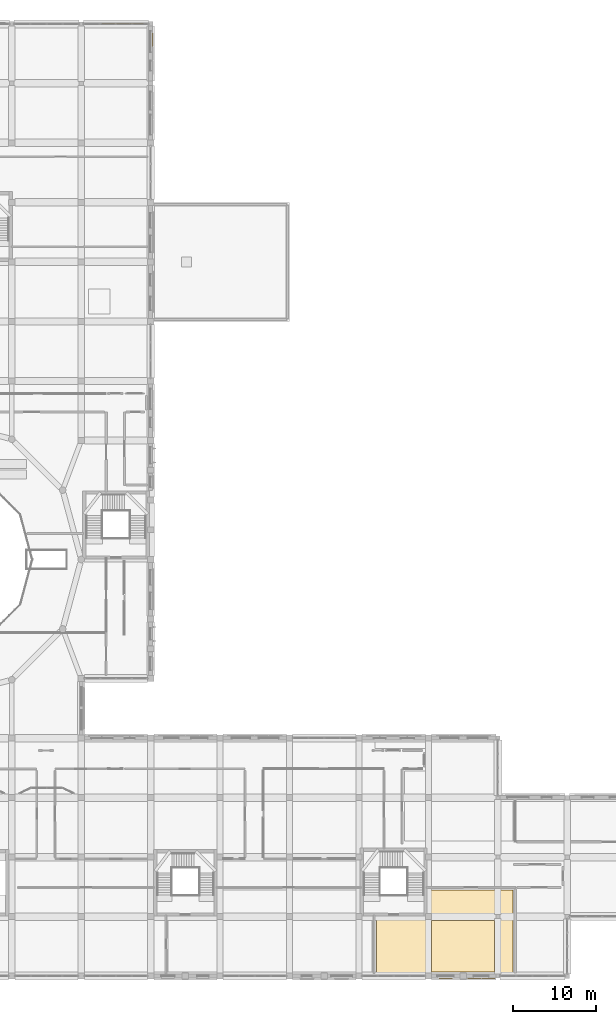
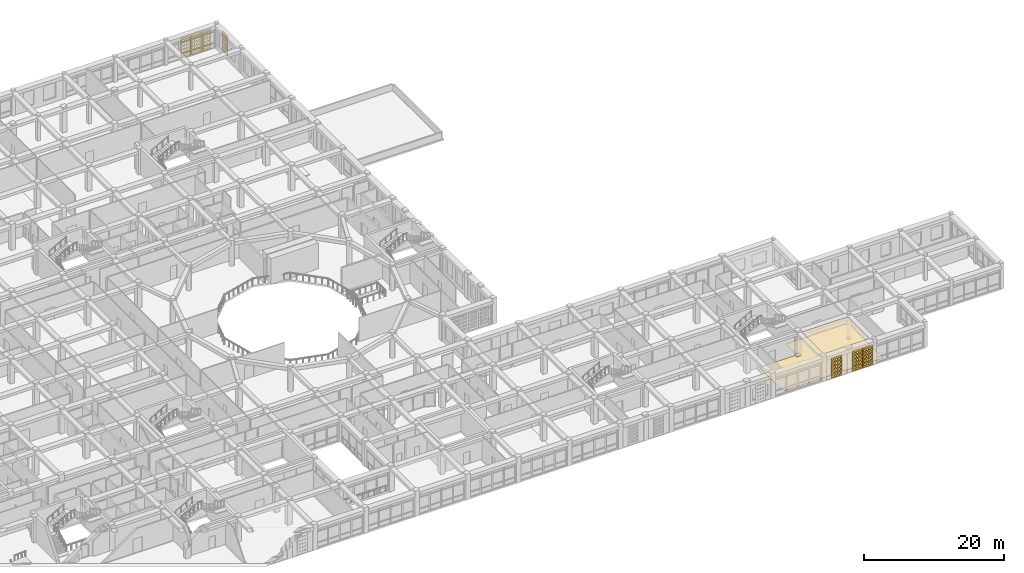
# One storey, part 116 of 121: 9 coverings.
"""IFC4 building model written with IfcOpenShell, lengths in metres."""

from ifc_helpers import new_model, si_unit, derived_unit, direction, frame, origin, place, context, subcontext, project, spatial, polyline, outline, extrude, material, layer, layer_set, type_object, element, save


model = new_model("IFC4")

# Units and contexts
model_context = context("Model", 3, precision=1e-05, world=origin(), true_north=direction((0.0, 1.0)))
body_context = subcontext(model_context, "Body", "Model", "MODEL_VIEW")
ifc_project = project(units=[si_unit("LENGTHUNIT", "METRE"), si_unit("AREAUNIT", "SQUARE_METRE"), si_unit("VOLUMEUNIT", "CUBIC_METRE"), si_unit("PLANEANGLEUNIT", "RADIAN"), si_unit("MASSUNIT", "GRAM", prefix="KILO"), derived_unit("THERMALTRANSMITTANCEUNIT", [(si_unit("POWERUNIT", "WATT"), 1), (si_unit("LENGTHUNIT", "METRE"), -2), (si_unit("THERMODYNAMICTEMPERATUREUNIT", "KELVIN"), -1)])], contexts=[model_context])

# Site, building, storey
site_placement = place(None, origin())
site = spatial("IfcSite", under=ifc_project, at=site_placement, CompositionType="ELEMENT")
building_placement = place(site_placement, origin())
building = spatial("IfcBuilding", under=site, at=building_placement, Name="Veybourne Emporium", CompositionType="ELEMENT")
storey_placement = place(building_placement, frame((0.0, 0.0, 5.39990234375)))
storey = spatial("IfcBuildingStorey", under=building, at=storey_placement, Name="L01", CompositionType="ELEMENT", Elevation=5.39990234375)

# Coverings
ifc_material_1 = material(Name="Mineral Acoustic Ceiling", Category="gypsum")
ifc_layer_1 = layer(ifc_material_1, 0.02490234375)
ifc_layer_set_1 = layer_set([ifc_layer_1], Name="Mineral Acoustic Ceiling")
covering_type_1 = type_object("IfcCoveringType", Name="Ceiling_CLG-01", PredefinedType="CEILING", material=ifc_layer_set_1)
covering_1_placement = place(storey_placement, frame((0.0, 0.0, 4.155029296875)))
element("IfcCovering", 1, at=covering_1_placement, inside=storey, type_object=covering_type_1, Name="L01 coffered acoustic ceiling 05", PredefinedType="CEILING", context=body_context, shape_type="SweptSolid", body=[
    extrude(outline(polyline([(134.77490234375, 6.820068359375), (134.77490234375, 6.751953125), (142.427001953125, 6.751953125), (142.427001953125, 0.472900390625), (134.77490234375, 0.472900390625), (134.77490234375, 0.43994140625), (134.77294921875, 0.43994140625), (134.77294921875, 6.820068359375), (134.77490234375, 6.820068359375)])), origin(), (0.0, 0.0, 1.0), 0.025146484375),
])
ifc_material_2 = material(Name="Venetian Terrazzo Flooring", Category="masonry")
ifc_layer_2 = layer(ifc_material_2, 0.044921875)
ifc_layer_set_2 = layer_set([ifc_layer_2], Name="Venetian Terrazzo Flooring")
covering_type_2 = type_object("IfcCoveringType", Name="Flooring_FLR-01", PredefinedType="FLOORING", material=ifc_layer_set_2)
covering_2_placement = place(storey_placement, origin())
element("IfcCovering", 2, at=covering_2_placement, inside=storey, type_object=covering_type_2, Name="L01 floor finish 05", PredefinedType="FLOORING", context=body_context, shape_type="SweptSolid", body=[
    extrude(outline(polyline([(133.89501953125, 7.29296875), (133.910400390625, 7.295166015625), (133.929931640625, 7.299072265625), (133.945068359375, 7.302978515625), (133.9638671875, 7.30859375), (133.978515625, 7.31396484375), (133.996826171875, 7.3212890625), (134.010986328125, 7.328125), (134.02001953125, 7.3330078125), (134.02001953125, 6.820068359375), (134.780029296875, 6.820068359375), (134.780029296875, 7.580078125), (134.202880859375, 7.580078125), (134.204833984375, 7.589599609375), (134.20703125, 7.60498046875), (134.208984375, 7.62451171875), (134.209716796875, 7.64013671875), (134.2099609375, 7.64990234375), (134.2099609375, 10.43994140625), (144.628662109375, 10.43994140625), (144.628662109375, 0.43994140625), (128.110107421875, 0.43994140625), (128.110107421875, 7.2900390625), (133.85009765625, 7.2900390625), (133.85986328125, 7.290283203125), (133.87548828125, 7.291015625), (133.89501953125, 7.29296875)]), holes=[polyline([(143.054931640625, 7.455078125), (142.544921875, 7.455078125), (142.544921875, 6.945068359375), (143.054931640625, 6.945068359375), (143.054931640625, 7.455078125)])]), origin(), (0.0, 0.0, 1.0), 0.045166015625),
])
ifc_material_3 = material(Name="Warm-White Perforated Aluminium Screen Alloy", Category="aluminium")
ifc_layer_3 = layer(ifc_material_3, 0.06005859375)
ifc_layer_set_3 = layer_set([ifc_layer_3], Name="Warm-White Perforated Aluminium Screen Alloy")
covering_type_3 = type_object("IfcCoveringType", Name="WaveScreen_SCR-01", PredefinedType="CLADDING", material=ifc_layer_set_3)
covering_3_placement = place(storey_placement, frame((97.427490234375, 115.297119140625, 1.815185546875), z_axis=(0.0, -1.0, 0.0), x_axis=(1.0, 0.0, 0.0)))
element("IfcCovering", 3, at=covering_3_placement, inside=storey, type_object=covering_type_3, Name="L01 wave-perforated aluminium screen SCR-01 (60C.3)", PredefinedType="CLADDING", context=body_context, shape_type="SweptSolid", body=[
    extrude(outline(polyline([(-0.81982421875, -1.7548828125), (0.81982421875, -1.7548828125), (0.81982421875, 1.7548828125), (-0.81982421875, 1.7548828125), (-0.81982421875, -1.7548828125)]), holes=[polyline([(-0.433349609375, -0.968017578125), (-0.2470703125, -1.134521484375), (-0.2470703125, -1.321533203125), (-0.433349609375, -1.488037109375), (-0.61962890625, -1.321533203125), (-0.61962890625, -1.134521484375), (-0.433349609375, -0.968017578125)]), polyline([(-0.433349609375, -0.36328125), (-0.2470703125, -0.523681640625), (-0.2470703125, -0.704345703125), (-0.433349609375, -0.86474609375), (-0.61962890625, -0.704345703125), (-0.61962890625, -0.523681640625), (-0.433349609375, -0.36328125)]), polyline([(-0.433349609375, 0.239990234375), (-0.2470703125, 0.08642578125), (-0.2470703125, -0.08642578125), (-0.433349609375, -0.239990234375), (-0.61962890625, -0.08642578125), (-0.61962890625, 0.08642578125), (-0.433349609375, 0.239990234375)]), polyline([(-0.433349609375, 0.841796875), (-0.2470703125, 0.696044921875), (-0.2470703125, 0.531982421875), (-0.433349609375, 0.38623046875), (-0.61962890625, 0.531982421875), (-0.61962890625, 0.696044921875), (-0.433349609375, 0.841796875)]), polyline([(-0.433349609375, 1.4423828125), (-0.247802734375, 1.30517578125), (-0.247802734375, 1.15087890625), (-0.433349609375, 1.013427734375), (-0.618896484375, 1.15087890625), (-0.618896484375, 1.30517578125), (-0.433349609375, 1.4423828125)]), polyline([(0.0, -0.971923828125), (0.186279296875, -1.1357421875), (0.186279296875, -1.3203125), (0.0, -1.484130859375), (-0.186279296875, -1.3203125), (-0.186279296875, -1.1357421875), (0.0, -0.971923828125)]), polyline([(0.0, -0.367919921875), (0.186279296875, -0.525390625), (0.186279296875, -0.70263671875), (0.0, -0.860107421875), (-0.186279296875, -0.70263671875), (-0.186279296875, -0.525390625), (0.0, -0.367919921875)]), polyline([(0.0, 0.234619140625), (0.186279296875, 0.08447265625), (0.186279296875, -0.08447265625), (0.0, -0.234619140625), (-0.186279296875, -0.08447265625), (-0.186279296875, 0.08447265625), (0.0, 0.234619140625)]), polyline([(0.0, 0.835693359375), (0.186279296875, 0.69384765625), (0.186279296875, 0.5341796875), (0.0, 0.39208984375), (-0.186279296875, 0.5341796875), (-0.186279296875, 0.69384765625), (0.0, 0.835693359375)]), polyline([(0.0, 1.436279296875), (0.180419921875, 1.302978515625), (0.180419921875, 1.153076171875), (0.0, 1.019775390625), (-0.180419921875, 1.153076171875), (-0.180419921875, 1.302978515625), (0.0, 1.436279296875)]), polyline([(0.433349609375, -0.976318359375), (0.61962890625, -1.137451171875), (0.61962890625, -1.318603515625), (0.433349609375, -1.479736328125), (0.2470703125, -1.318603515625), (0.2470703125, -1.137451171875), (0.433349609375, -0.976318359375)]), polyline([(0.433349609375, -0.372802734375), (0.61962890625, -0.527099609375), (0.61962890625, -0.70068359375), (0.433349609375, -0.85498046875), (0.2470703125, -0.70068359375), (0.2470703125, -0.527099609375), (0.433349609375, -0.372802734375)]), polyline([(0.433349609375, 0.22900390625), (0.61962890625, 0.08251953125), (0.61962890625, -0.08251953125), (0.433349609375, -0.22900390625), (0.2470703125, -0.08251953125), (0.2470703125, 0.08251953125), (0.433349609375, 0.22900390625)]), polyline([(0.433349609375, 0.82958984375), (0.61962890625, 0.691650390625), (0.61962890625, 0.536376953125), (0.433349609375, 0.398193359375), (0.2470703125, 0.536376953125), (0.2470703125, 0.691650390625), (0.433349609375, 0.82958984375)]), polyline([(0.433349609375, 1.429931640625), (0.6083984375, 1.30078125), (0.6083984375, 1.1552734375), (0.433349609375, 1.026123046875), (0.25830078125, 1.1552734375), (0.25830078125, 1.30078125), (0.433349609375, 1.429931640625)])]), origin(), (0.0, 0.0, 1.0), 0.06005859375),
])
covering_4_placement = place(storey_placement, frame((139.93505859375, -0.298095703125, 1.815185546875), z_axis=(0.0, 1.0, 0.0), x_axis=(-1.0, 0.0, 0.0)))
element("IfcCovering", 4, at=covering_4_placement, inside=storey, type_object=covering_type_3, Name="L01 wave-perforated aluminium screen SCR-01 (69A.2)", PredefinedType="CLADDING", context=body_context, shape_type="SweptSolid", body=[
    extrude(outline(polyline([(-0.81982421875, -1.7548828125), (0.81982421875, -1.7548828125), (0.81982421875, 1.7548828125), (-0.81982421875, 1.7548828125), (-0.81982421875, -1.7548828125)]), holes=[polyline([(-0.433349609375, -0.964111328125), (-0.2470703125, -1.133056640625), (-0.2470703125, -1.322998046875), (-0.433349609375, -1.491943359375), (-0.61962890625, -1.322998046875), (-0.61962890625, -1.133056640625), (-0.433349609375, -0.964111328125)]), polyline([(-0.433349609375, -0.35009765625), (-0.2470703125, -0.51904296875), (-0.2470703125, -0.708984375), (-0.433349609375, -0.8779296875), (-0.61962890625, -0.708984375), (-0.61962890625, -0.51904296875), (-0.433349609375, -0.35009765625)]), polyline([(-0.433349609375, 0.263427734375), (-0.2470703125, 0.094970703125), (-0.2470703125, -0.094970703125), (-0.433349609375, -0.263427734375), (-0.61962890625, -0.094970703125), (-0.61962890625, 0.094970703125), (-0.433349609375, 0.263427734375)]), polyline([(-0.433349609375, 0.869140625), (-0.2470703125, 0.705810546875), (-0.2470703125, 0.522216796875), (-0.433349609375, 0.35888671875), (-0.61962890625, 0.522216796875), (-0.61962890625, 0.705810546875), (-0.433349609375, 0.869140625)]), polyline([(-0.433349609375, 1.47314453125), (-0.2470703125, 1.31640625), (-0.2470703125, 1.1396484375), (-0.433349609375, 0.98291015625), (-0.61962890625, 1.1396484375), (-0.61962890625, 1.31640625), (-0.433349609375, 1.47314453125)]), polyline([(0.0, -0.964111328125), (0.186279296875, -1.133056640625), (0.186279296875, -1.322998046875), (0.0, -1.491943359375), (-0.186279296875, -1.322998046875), (-0.186279296875, -1.133056640625), (0.0, -0.964111328125)]), polyline([(0.0, -0.35009765625), (0.186279296875, -0.51904296875), (0.186279296875, -0.708984375), (0.0, -0.8779296875), (-0.186279296875, -0.708984375), (-0.186279296875, -0.51904296875), (0.0, -0.35009765625)]), polyline([(0.0, 0.263916015625), (0.186279296875, 0.094970703125), (0.186279296875, -0.094970703125), (0.0, -0.263916015625), (-0.186279296875, -0.094970703125), (-0.186279296875, 0.094970703125), (0.0, 0.263916015625)]), polyline([(0.0, 0.873291015625), (0.186279296875, 0.707275390625), (0.186279296875, 0.520751953125), (0.0, 0.354736328125), (-0.186279296875, 0.520751953125), (-0.186279296875, 0.707275390625), (0.0, 0.873291015625)]), polyline([(0.0, 1.477783203125), (0.186279296875, 1.318115234375), (0.186279296875, 1.137939453125), (0.0, 0.97802734375), (-0.186279296875, 1.137939453125), (-0.186279296875, 1.318115234375), (0.0, 1.477783203125)]), polyline([(0.433349609375, -0.964111328125), (0.61962890625, -1.133056640625), (0.61962890625, -1.322998046875), (0.433349609375, -1.491943359375), (0.2470703125, -1.322998046875), (0.2470703125, -1.133056640625), (0.433349609375, -0.964111328125)]), polyline([(0.433349609375, -0.35009765625), (0.61962890625, -0.51904296875), (0.61962890625, -0.708984375), (0.433349609375, -0.8779296875), (0.2470703125, -0.708984375), (0.2470703125, -0.51904296875), (0.433349609375, -0.35009765625)]), polyline([(0.433349609375, 0.263916015625), (0.61962890625, 0.094970703125), (0.61962890625, -0.094970703125), (0.433349609375, -0.263916015625), (0.2470703125, -0.094970703125), (0.2470703125, 0.094970703125), (0.433349609375, 0.263916015625)]), polyline([(0.433349609375, 0.876708984375), (0.61962890625, 0.70849609375), (0.61962890625, 0.519287109375), (0.433349609375, 0.351318359375), (0.2470703125, 0.519287109375), (0.2470703125, 0.70849609375), (0.433349609375, 0.876708984375)]), polyline([(0.433349609375, 1.482421875), (0.61962890625, 1.319580078125), (0.61962890625, 1.136474609375), (0.433349609375, 0.9736328125), (0.2470703125, 1.136474609375), (0.2470703125, 1.319580078125), (0.433349609375, 1.482421875)])]), origin(), (0.0, 0.0, 1.0), 0.06005859375),
])
ifc_layer_4 = layer(ifc_material_3, 0.06005859375)
ifc_layer_set_4 = layer_set([ifc_layer_4], Name="Warm-White Perforated Aluminium Screen Alloy")
covering_type_4 = type_object("IfcCoveringType", Name="WaveScreen_SCR-02", PredefinedType="CLADDING", material=ifc_layer_set_4)
covering_5_placement = place(storey_placement, frame((101.09814453125, 113.280029296875, 1.815185546875), z_axis=(-1.0, 0.0, 0.0), x_axis=(0.0, -1.0, 0.0)))
element("IfcCovering", 5, at=covering_5_placement, inside=storey, type_object=covering_type_4, Name="L01 wave-perforated aluminium screen SCR-02 (59.1)", PredefinedType="CLADDING", context=body_context, shape_type="SweptSolid", body=[
    extrude(outline(polyline([(-0.81982421875, -1.7548828125), (0.81982421875, -1.7548828125), (0.81982421875, 1.7548828125), (-0.81982421875, 1.7548828125), (-0.81982421875, -1.7548828125)]), holes=[polyline([(-0.433349609375, -0.99560546875), (-0.2470703125, -1.144287109375), (-0.2470703125, -1.3115234375), (-0.433349609375, -1.460205078125), (-0.61962890625, -1.3115234375), (-0.61962890625, -1.144287109375), (-0.433349609375, -0.99560546875)]), polyline([(-0.433349609375, -0.39453125), (-0.2470703125, -0.534912109375), (-0.2470703125, -0.693115234375), (-0.433349609375, -0.83349609375), (-0.61962890625, -0.693115234375), (-0.61962890625, -0.534912109375), (-0.433349609375, -0.39453125)]), polyline([(-0.433349609375, 0.20556640625), (-0.255126953125, 0.073974609375), (-0.255126953125, -0.073974609375), (-0.433349609375, -0.20556640625), (-0.611572265625, -0.073974609375), (-0.611572265625, 0.073974609375), (-0.433349609375, 0.20556640625)]), polyline([(-0.433349609375, 0.805419921875), (-0.2666015625, 0.682861328125), (-0.2666015625, 0.545166015625), (-0.433349609375, 0.422607421875), (-0.60009765625, 0.545166015625), (-0.60009765625, 0.682861328125), (-0.433349609375, 0.805419921875)]), polyline([(-0.433349609375, 1.405517578125), (-0.2783203125, 1.2919921875), (-0.2783203125, 1.1640625), (-0.433349609375, 1.050537109375), (-0.58837890625, 1.1640625), (-0.58837890625, 1.2919921875), (-0.433349609375, 1.405517578125)]), polyline([(0.0, -0.990234375), (0.186279296875, -1.142333984375), (0.186279296875, -1.313720703125), (0.0, -1.4658203125), (-0.186279296875, -1.313720703125), (-0.186279296875, -1.142333984375), (0.0, -0.990234375)]), polyline([(0.0, -0.388671875), (0.186279296875, -0.532958984375), (0.186279296875, -0.695068359375), (0.0, -0.83935546875), (-0.186279296875, -0.695068359375), (-0.186279296875, -0.532958984375), (0.0, -0.388671875)]), polyline([(0.0, 0.2119140625), (0.183349609375, 0.076416015625), (0.183349609375, -0.076416015625), (0.0, -0.2119140625), (-0.183349609375, -0.076416015625), (-0.183349609375, 0.076416015625), (0.0, 0.2119140625)]), polyline([(0.0, 0.81201171875), (0.171875, 0.685302734375), (0.171875, 0.542724609375), (0.0, 0.416015625), (-0.171875, 0.542724609375), (-0.171875, 0.685302734375), (0.0, 0.81201171875)]), polyline([(0.0, 1.411865234375), (0.160400390625, 1.294189453125), (0.160400390625, 1.161865234375), (0.0, 1.044189453125), (-0.160400390625, 1.161865234375), (-0.160400390625, 1.294189453125), (0.0, 1.411865234375)]), polyline([(0.433349609375, -0.98486328125), (0.61962890625, -1.140380859375), (0.61962890625, -1.3154296875), (0.433349609375, -1.47119140625), (0.2470703125, -1.3154296875), (0.2470703125, -1.140380859375), (0.433349609375, -0.98486328125)]), polyline([(0.433349609375, -0.3828125), (0.61962890625, -0.53076171875), (0.61962890625, -0.697265625), (0.433349609375, -0.84521484375), (0.2470703125, -0.697265625), (0.2470703125, -0.53076171875), (0.433349609375, -0.3828125)]), polyline([(0.433349609375, 0.218017578125), (0.61962890625, 0.07861328125), (0.61962890625, -0.07861328125), (0.433349609375, -0.218017578125), (0.2470703125, -0.07861328125), (0.2470703125, 0.07861328125), (0.433349609375, 0.218017578125)]), polyline([(0.433349609375, 0.818359375), (0.610595703125, 0.6875), (0.610595703125, 0.540283203125), (0.433349609375, 0.40966796875), (0.256103515625, 0.540283203125), (0.256103515625, 0.6875), (0.433349609375, 0.818359375)]), polyline([(0.433349609375, 1.418212890625), (0.598876953125, 1.29638671875), (0.598876953125, 1.159423828125), (0.433349609375, 1.037841796875), (0.267578125, 1.159423828125), (0.267578125, 1.29638671875), (0.433349609375, 1.418212890625)])]), origin(), (0.0, 0.0, 1.0), 0.06005859375),
])
covering_6_placement = place(storey_placement, frame((99.107421875, 115.297119140625, 1.815185546875), z_axis=(0.0, -1.0, 0.0), x_axis=(1.0, 0.0, 0.0)))
element("IfcCovering", 6, at=covering_6_placement, inside=storey, type_object=covering_type_4, Name="L01 wave-perforated aluminium screen SCR-02 (60C.4)", PredefinedType="CLADDING", context=body_context, shape_type="SweptSolid", body=[
    extrude(outline(polyline([(-0.81982421875, -1.7548828125), (0.81982421875, -1.7548828125), (0.81982421875, 1.7548828125), (-0.81982421875, 1.7548828125), (-0.81982421875, -1.7548828125)]), holes=[polyline([(-0.433349609375, -0.985107421875), (-0.2470703125, -1.140625), (-0.2470703125, -1.3154296875), (-0.433349609375, -1.470703125), (-0.61962890625, -1.3154296875), (-0.61962890625, -1.140625), (-0.433349609375, -0.985107421875)]), polyline([(-0.433349609375, -0.38330078125), (-0.2470703125, -0.531005859375), (-0.2470703125, -0.697021484375), (-0.433349609375, -0.8447265625), (-0.61962890625, -0.697021484375), (-0.61962890625, -0.531005859375), (-0.433349609375, -0.38330078125)]), polyline([(-0.433349609375, 0.2177734375), (-0.2470703125, 0.078369140625), (-0.2470703125, -0.078369140625), (-0.433349609375, -0.2177734375), (-0.61962890625, -0.078369140625), (-0.61962890625, 0.078369140625), (-0.433349609375, 0.2177734375)]), polyline([(-0.433349609375, 0.81787109375), (-0.256591796875, 0.6875), (-0.256591796875, 0.54052734375), (-0.433349609375, 0.41015625), (-0.610107421875, 0.54052734375), (-0.610107421875, 0.6875), (-0.433349609375, 0.81787109375)]), polyline([(-0.433349609375, 1.417724609375), (-0.26806640625, 1.29638671875), (-0.26806640625, 1.15966796875), (-0.433349609375, 1.0380859375), (-0.5986328125, 1.15966796875), (-0.5986328125, 1.29638671875), (-0.433349609375, 1.417724609375)]), polyline([(0.0, -0.990478515625), (0.186279296875, -1.142578125), (0.186279296875, -1.3134765625), (0.0, -1.465576171875), (-0.186279296875, -1.3134765625), (-0.186279296875, -1.142578125), (0.0, -0.990478515625)]), polyline([(0.0, -0.388916015625), (0.186279296875, -0.532958984375), (0.186279296875, -0.695068359375), (0.0, -0.839111328125), (-0.186279296875, -0.695068359375), (-0.186279296875, -0.532958984375), (0.0, -0.388916015625)]), polyline([(0.0, 0.211669921875), (0.18310546875, 0.076171875), (0.18310546875, -0.076171875), (0.0, -0.211669921875), (-0.18310546875, -0.076171875), (-0.18310546875, 0.076171875), (0.0, 0.211669921875)]), polyline([(0.0, 0.8115234375), (0.171630859375, 0.68505859375), (0.171630859375, 0.54296875), (0.0, 0.41650390625), (-0.171630859375, 0.54296875), (-0.171630859375, 0.68505859375), (0.0, 0.8115234375)]), polyline([(0.0, 1.411376953125), (0.159912109375, 1.2939453125), (0.159912109375, 1.162109375), (0.0, 1.044677734375), (-0.159912109375, 1.162109375), (-0.159912109375, 1.2939453125), (0.0, 1.411376953125)]), polyline([(0.433349609375, -0.99609375), (0.61962890625, -1.14453125), (0.61962890625, -1.3115234375), (0.433349609375, -1.4599609375), (0.2470703125, -1.3115234375), (0.2470703125, -1.14453125), (0.433349609375, -0.99609375)]), polyline([(0.433349609375, -0.39501953125), (0.61962890625, -0.53515625), (0.61962890625, -0.69287109375), (0.433349609375, -0.8330078125), (0.2470703125, -0.69287109375), (0.2470703125, -0.53515625), (0.433349609375, -0.39501953125)]), polyline([(0.433349609375, 0.205078125), (0.611328125, 0.073974609375), (0.611328125, -0.073974609375), (0.433349609375, -0.205078125), (0.25537109375, -0.073974609375), (0.25537109375, 0.073974609375), (0.433349609375, 0.205078125)]), polyline([(0.433349609375, 0.80517578125), (0.599609375, 0.682861328125), (0.599609375, 0.545166015625), (0.433349609375, 0.4228515625), (0.26708984375, 0.545166015625), (0.26708984375, 0.682861328125), (0.433349609375, 0.80517578125)]), polyline([(0.433349609375, 1.405029296875), (0.588134765625, 1.291748046875), (0.588134765625, 1.164306640625), (0.433349609375, 1.051025390625), (0.278564453125, 1.164306640625), (0.278564453125, 1.291748046875), (0.433349609375, 1.405029296875)])]), origin(), (0.0, 0.0, 1.0), 0.06005859375),
])
ifc_layer_5 = layer(ifc_material_3, 0.06005859375)
ifc_layer_set_5 = layer_set([ifc_layer_5], Name="Warm-White Perforated Aluminium Screen Alloy")
covering_type_5 = type_object("IfcCoveringType", Name="WaveScreen_SCR-04", PredefinedType="CLADDING", material=ifc_layer_set_5)
covering_7_placement = place(storey_placement, frame((95.74755859375, 115.297119140625, 1.815185546875), z_axis=(0.0, -1.0, 0.0), x_axis=(1.0, 0.0, 0.0)))
element("IfcCovering", 7, at=covering_7_placement, inside=storey, type_object=covering_type_5, Name="L01 wave-perforated aluminium screen SCR-04 (60C.2)", PredefinedType="CLADDING", context=body_context, shape_type="SweptSolid", body=[
    extrude(outline(polyline([(-0.81982421875, -1.7548828125), (0.81982421875, -1.7548828125), (0.81982421875, 1.7548828125), (-0.81982421875, 1.7548828125), (-0.81982421875, -1.7548828125)]), holes=[polyline([(-0.433349609375, -0.964111328125), (-0.2470703125, -1.133056640625), (-0.2470703125, -1.322998046875), (-0.433349609375, -1.491943359375), (-0.61962890625, -1.322998046875), (-0.61962890625, -1.133056640625), (-0.433349609375, -0.964111328125)]), polyline([(-0.433349609375, -0.35009765625), (-0.2470703125, -0.51904296875), (-0.2470703125, -0.708984375), (-0.433349609375, -0.8779296875), (-0.61962890625, -0.708984375), (-0.61962890625, -0.51904296875), (-0.433349609375, -0.35009765625)]), polyline([(-0.433349609375, 0.2578125), (-0.2470703125, 0.093017578125), (-0.2470703125, -0.093017578125), (-0.433349609375, -0.2578125), (-0.61962890625, -0.093017578125), (-0.61962890625, 0.093017578125), (-0.433349609375, 0.2578125)]), polyline([(-0.433349609375, 0.8623046875), (-0.2470703125, 0.703369140625), (-0.2470703125, 0.524658203125), (-0.433349609375, 0.365478515625), (-0.61962890625, 0.524658203125), (-0.61962890625, 0.703369140625), (-0.433349609375, 0.8623046875)]), polyline([(-0.433349609375, 1.465087890625), (-0.2470703125, 1.3134765625), (-0.2470703125, 1.142578125), (-0.433349609375, 0.99072265625), (-0.61962890625, 1.142578125), (-0.61962890625, 1.3134765625), (-0.433349609375, 1.465087890625)]), polyline([(0.0, -0.964111328125), (0.186279296875, -1.133056640625), (0.186279296875, -1.322998046875), (0.0, -1.491943359375), (-0.186279296875, -1.322998046875), (-0.186279296875, -1.133056640625), (0.0, -0.964111328125)]), polyline([(0.0, -0.3515625), (0.186279296875, -0.51953125), (0.186279296875, -0.70849609375), (0.0, -0.87646484375), (-0.186279296875, -0.70849609375), (-0.186279296875, -0.51953125), (0.0, -0.3515625)]), polyline([(0.0, 0.25390625), (0.186279296875, 0.09130859375), (0.186279296875, -0.09130859375), (0.0, -0.25390625), (-0.186279296875, -0.09130859375), (-0.186279296875, 0.09130859375), (0.0, 0.25390625)]), polyline([(0.0, 0.857421875), (0.186279296875, 0.70166015625), (0.186279296875, 0.5263671875), (0.0, 0.37060546875), (-0.186279296875, 0.5263671875), (-0.186279296875, 0.70166015625), (0.0, 0.857421875)]), polyline([(0.0, 1.459716796875), (0.186279296875, 1.311279296875), (0.186279296875, 1.14453125), (0.0, 0.996337890625), (-0.186279296875, 1.14453125), (-0.186279296875, 1.311279296875), (0.0, 1.459716796875)]), polyline([(0.433349609375, -0.964111328125), (0.61962890625, -1.133056640625), (0.61962890625, -1.322998046875), (0.433349609375, -1.491943359375), (0.2470703125, -1.322998046875), (0.2470703125, -1.133056640625), (0.433349609375, -0.964111328125)]), polyline([(0.433349609375, -0.355224609375), (0.61962890625, -0.52099609375), (0.61962890625, -0.70703125), (0.433349609375, -0.872802734375), (0.2470703125, -0.70703125), (0.2470703125, -0.52099609375), (0.433349609375, -0.355224609375)]), polyline([(0.433349609375, 0.249267578125), (0.61962890625, 0.08984375), (0.61962890625, -0.08984375), (0.433349609375, -0.249267578125), (0.2470703125, -0.08984375), (0.2470703125, 0.08984375), (0.433349609375, 0.249267578125)]), polyline([(0.433349609375, 0.852294921875), (0.61962890625, 0.69970703125), (0.61962890625, 0.5283203125), (0.433349609375, 0.375732421875), (0.2470703125, 0.5283203125), (0.2470703125, 0.69970703125), (0.433349609375, 0.852294921875)]), polyline([(0.433349609375, 1.453857421875), (0.61962890625, 1.309326171875), (0.61962890625, 1.146728515625), (0.433349609375, 1.002197265625), (0.2470703125, 1.146728515625), (0.2470703125, 1.309326171875), (0.433349609375, 1.453857421875)])]), origin(), (0.0, 0.0, 1.0), 0.06005859375),
])
covering_8_placement = place(storey_placement, frame((141.614990234375, -0.298095703125, 1.815185546875), z_axis=(0.0, 1.0, 0.0), x_axis=(-1.0, 0.0, 0.0)))
element("IfcCovering", 8, at=covering_8_placement, inside=storey, type_object=covering_type_5, Name="L01 wave-perforated aluminium screen SCR-04 (69A.1)", PredefinedType="CLADDING", context=body_context, shape_type="SweptSolid", body=[
    extrude(outline(polyline([(-0.81982421875, -1.7548828125), (0.81982421875, -1.7548828125), (0.81982421875, 1.7548828125), (-0.81982421875, 1.7548828125), (-0.81982421875, -1.7548828125)]), holes=[polyline([(-0.433349609375, -0.964111328125), (-0.2470703125, -1.133056640625), (-0.2470703125, -1.322998046875), (-0.433349609375, -1.491943359375), (-0.61962890625, -1.322998046875), (-0.61962890625, -1.133056640625), (-0.433349609375, -0.964111328125)]), polyline([(-0.433349609375, -0.356689453125), (-0.2470703125, -0.521240234375), (-0.2470703125, -0.706787109375), (-0.433349609375, -0.871337890625), (-0.61962890625, -0.706787109375), (-0.61962890625, -0.521240234375), (-0.433349609375, -0.356689453125)]), polyline([(-0.433349609375, 0.247802734375), (-0.2470703125, 0.089111328125), (-0.2470703125, -0.089111328125), (-0.433349609375, -0.247802734375), (-0.61962890625, -0.089111328125), (-0.61962890625, 0.089111328125), (-0.433349609375, 0.247802734375)]), polyline([(-0.433349609375, 0.850341796875), (-0.2470703125, 0.69921875), (-0.2470703125, 0.52880859375), (-0.433349609375, 0.377685546875), (-0.61962890625, 0.52880859375), (-0.61962890625, 0.69921875), (-0.433349609375, 0.850341796875)]), polyline([(-0.433349609375, 1.451904296875), (-0.2470703125, 1.30859375), (-0.2470703125, 1.1474609375), (-0.433349609375, 1.004150390625), (-0.61962890625, 1.1474609375), (-0.61962890625, 1.30859375), (-0.433349609375, 1.451904296875)]), polyline([(0.0, -0.964111328125), (0.186279296875, -1.133056640625), (0.186279296875, -1.322998046875), (0.0, -1.491943359375), (-0.186279296875, -1.322998046875), (-0.186279296875, -1.133056640625), (0.0, -0.964111328125)]), polyline([(0.0, -0.352783203125), (0.186279296875, -0.52001953125), (0.186279296875, -0.7080078125), (0.0, -0.875244140625), (-0.186279296875, -0.7080078125), (-0.186279296875, -0.52001953125), (0.0, -0.352783203125)]), polyline([(0.0, 0.252197265625), (0.186279296875, 0.0908203125), (0.186279296875, -0.0908203125), (0.0, -0.252197265625), (-0.186279296875, -0.0908203125), (-0.186279296875, 0.0908203125), (0.0, 0.252197265625)]), polyline([(0.0, 0.855712890625), (0.186279296875, 0.700927734375), (0.186279296875, 0.527099609375), (0.0, 0.372314453125), (-0.186279296875, 0.527099609375), (-0.186279296875, 0.700927734375), (0.0, 0.855712890625)]), polyline([(0.0, 1.457763671875), (0.186279296875, 1.310791015625), (0.186279296875, 1.145263671875), (0.0, 0.998291015625), (-0.186279296875, 1.145263671875), (-0.186279296875, 1.310791015625), (0.0, 1.457763671875)]), polyline([(0.433349609375, -0.964111328125), (0.61962890625, -1.133056640625), (0.61962890625, -1.322998046875), (0.433349609375, -1.491943359375), (0.2470703125, -1.322998046875), (0.2470703125, -1.133056640625), (0.433349609375, -0.964111328125)]), polyline([(0.433349609375, -0.35009765625), (0.61962890625, -0.51904296875), (0.61962890625, -0.708984375), (0.433349609375, -0.8779296875), (0.2470703125, -0.708984375), (0.2470703125, -0.51904296875), (0.433349609375, -0.35009765625)]), polyline([(0.433349609375, 0.256591796875), (0.61962890625, 0.09228515625), (0.61962890625, -0.09228515625), (0.433349609375, -0.256591796875), (0.2470703125, -0.09228515625), (0.2470703125, 0.09228515625), (0.433349609375, 0.256591796875)]), polyline([(0.433349609375, 0.86083984375), (0.61962890625, 0.702880859375), (0.61962890625, 0.525146484375), (0.433349609375, 0.3671875), (0.2470703125, 0.525146484375), (0.2470703125, 0.702880859375), (0.433349609375, 0.86083984375)]), polyline([(0.433349609375, 1.46337890625), (0.61962890625, 1.312744140625), (0.61962890625, 1.143310546875), (0.433349609375, 0.99267578125), (0.2470703125, 1.143310546875), (0.2470703125, 1.312744140625), (0.433349609375, 1.46337890625)])]), origin(), (0.0, 0.0, 1.0), 0.06005859375),
])
covering_9_placement = place(storey_placement, frame((136.487548828125, -0.298095703125, 1.815185546875), z_axis=(0.0, 1.0, 0.0), x_axis=(-1.0, 0.0, 0.0)))
element("IfcCovering", 9, at=covering_9_placement, inside=storey, type_object=covering_type_5, Name="L01 wave-perforated aluminium screen SCR-04 (69B.1)", PredefinedType="CLADDING", context=body_context, shape_type="SweptSolid", body=[
    extrude(outline(polyline([(-0.81982421875, -1.7548828125), (0.81982421875, -1.7548828125), (0.81982421875, 1.7548828125), (-0.81982421875, 1.7548828125), (-0.81982421875, -1.7548828125)]), holes=[polyline([(-0.433349609375, -0.964111328125), (-0.2470703125, -1.133056640625), (-0.2470703125, -1.322998046875), (-0.433349609375, -1.491943359375), (-0.61962890625, -1.322998046875), (-0.61962890625, -1.133056640625), (-0.433349609375, -0.964111328125)]), polyline([(-0.433349609375, -0.35009765625), (-0.2470703125, -0.51904296875), (-0.2470703125, -0.708984375), (-0.433349609375, -0.8779296875), (-0.61962890625, -0.708984375), (-0.61962890625, -0.51904296875), (-0.433349609375, -0.35009765625)]), polyline([(-0.433349609375, 0.263916015625), (-0.2470703125, 0.094970703125), (-0.2470703125, -0.094970703125), (-0.433349609375, -0.263916015625), (-0.61962890625, -0.094970703125), (-0.61962890625, 0.094970703125), (-0.433349609375, 0.263916015625)]), polyline([(-0.433349609375, 0.8779296875), (-0.2470703125, 0.708984375), (-0.2470703125, 0.51904296875), (-0.433349609375, 0.35009765625), (-0.61962890625, 0.51904296875), (-0.61962890625, 0.708984375), (-0.433349609375, 0.8779296875)]), polyline([(-0.433349609375, 1.491943359375), (-0.2470703125, 1.322998046875), (-0.2470703125, 1.133056640625), (-0.433349609375, 0.964111328125), (-0.61962890625, 1.133056640625), (-0.61962890625, 1.322998046875), (-0.433349609375, 1.491943359375)]), polyline([(0.0, -0.964111328125), (0.186279296875, -1.133056640625), (0.186279296875, -1.322998046875), (0.0, -1.491943359375), (-0.186279296875, -1.322998046875), (-0.186279296875, -1.133056640625), (0.0, -0.964111328125)]), polyline([(0.0, -0.35009765625), (0.186279296875, -0.51904296875), (0.186279296875, -0.708984375), (0.0, -0.8779296875), (-0.186279296875, -0.708984375), (-0.186279296875, -0.51904296875), (0.0, -0.35009765625)]), polyline([(0.0, 0.263916015625), (0.186279296875, 0.094970703125), (0.186279296875, -0.094970703125), (0.0, -0.263916015625), (-0.186279296875, -0.094970703125), (-0.186279296875, 0.094970703125), (0.0, 0.263916015625)]), polyline([(0.0, 0.8779296875), (0.186279296875, 0.708984375), (0.186279296875, 0.51904296875), (0.0, 0.35009765625), (-0.186279296875, 0.51904296875), (-0.186279296875, 0.708984375), (0.0, 0.8779296875)]), polyline([(0.0, 1.491943359375), (0.186279296875, 1.322998046875), (0.186279296875, 1.133056640625), (0.0, 0.964111328125), (-0.186279296875, 1.133056640625), (-0.186279296875, 1.322998046875), (0.0, 1.491943359375)]), polyline([(0.433349609375, -0.966796875), (0.61962890625, -1.1337890625), (0.61962890625, -1.322021484375), (0.433349609375, -1.4892578125), (0.2470703125, -1.322021484375), (0.2470703125, -1.1337890625), (0.433349609375, -0.966796875)]), polyline([(0.433349609375, -0.35009765625), (0.61962890625, -0.51904296875), (0.61962890625, -0.708984375), (0.433349609375, -0.8779296875), (0.2470703125, -0.708984375), (0.2470703125, -0.51904296875), (0.433349609375, -0.35009765625)]), polyline([(0.433349609375, 0.263916015625), (0.61962890625, 0.094970703125), (0.61962890625, -0.094970703125), (0.433349609375, -0.263916015625), (0.2470703125, -0.094970703125), (0.2470703125, 0.094970703125), (0.433349609375, 0.263916015625)]), polyline([(0.433349609375, 0.8779296875), (0.61962890625, 0.708984375), (0.61962890625, 0.51904296875), (0.433349609375, 0.35009765625), (0.2470703125, 0.51904296875), (0.2470703125, 0.708984375), (0.433349609375, 0.8779296875)]), polyline([(0.433349609375, 1.491943359375), (0.61962890625, 1.322998046875), (0.61962890625, 1.133056640625), (0.433349609375, 0.964111328125), (0.2470703125, 1.133056640625), (0.2470703125, 1.322998046875), (0.433349609375, 1.491943359375)])]), origin(), (0.0, 0.0, 1.0), 0.06005859375),
])

save(model, "model.ifc")
